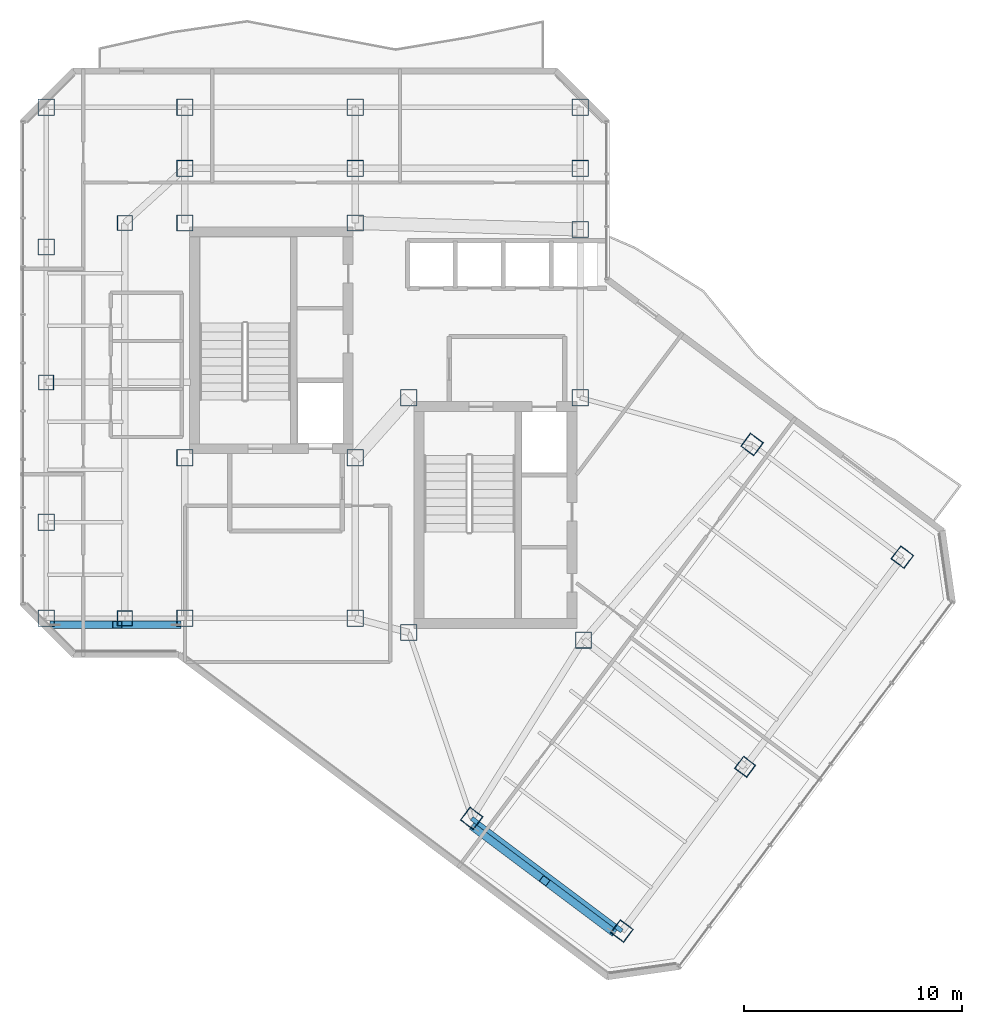
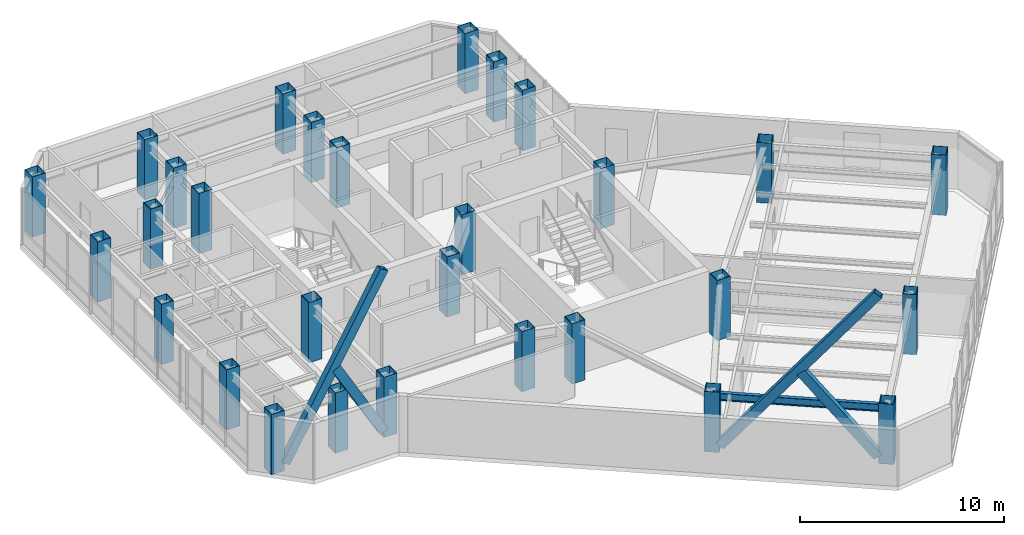
# One storey, part 1 of 24: 29 columns, 4 members, 1 beam.
"""IFC4 building model written with IfcOpenShell, lengths in metres."""

from ifc_helpers import new_model, si_unit, direction, frame, origin, origin_2d, place, context, subcontext, project, spatial, hollow_rectangle, i_section, extrude, material, material_profile, profile_set, type_object, element, save


model = new_model("IFC4")

# Units and contexts
model_context = context("Model", 3, precision=1e-05, world=origin(), true_north=direction((0.0, 1.0)))
body_context = subcontext(model_context, "Body", "Model", "MODEL_VIEW")
ifc_project = project(units=[si_unit("LENGTHUNIT", "METRE"), si_unit("AREAUNIT", "SQUARE_METRE"), si_unit("VOLUMEUNIT", "CUBIC_METRE"), si_unit("PLANEANGLEUNIT", "RADIAN"), si_unit("MASSUNIT", "GRAM", prefix="KILO")], contexts=[model_context])

# Site, building, storey
site_placement = place(None, origin())
site = spatial("IfcSite", under=ifc_project, at=site_placement, CompositionType="ELEMENT")
building_placement = place(site_placement, origin())
building = spatial("IfcBuilding", under=site, at=building_placement, Name="Hatsunagi Terrace Concourse", CompositionType="ELEMENT")
storey_placement = place(building_placement, frame((0.0, 0.0, 202.35009765625)))
storey = spatial("IfcBuildingStorey", under=building, at=storey_placement, Name="L53", CompositionType="ELEMENT", Elevation=202.35009765625)

# Columns
ifc_material_1 = material(Name="Steel BCP325T", Category="steel")
ifc_material_profile_1 = material_profile(ifc_material_1, hollow_rectangle(XDim=0.699951171875, YDim=0.699951171875, WallThickness=0.028076171875, at=origin_2d()), Name="BCP-700x700x28")
ifc_profile_set_1 = profile_set([ifc_material_profile_1], Name="Steel BCP325T")
column_type_1 = type_object("IfcColumnType", Name="TowerBoxColumn_700x700x28", PredefinedType="COLUMN", material=ifc_profile_set_1)
for number, where, z_axis, x_axis, name in (
    (1, (22.800048828125, 25.199951171875, 0.0), (0.0, 0.0, 1.0), (1.0, 0.0, 0.0), "Column C-08 L53-CW1"),
    (2, (22.800048828125, 43.300048828125, 0.0), (0.0, 0.0, 1.0), (1.0, 0.0, 0.0), "Column C-08 L53-CW2"),
    (3, (19.199951171875, 36.0, 0.0), (0.0, 0.0, 1.0), (1.0, 0.0, 0.0), "Column C-08 L53-WT2"),
    (4, (51.199951171875, 18.39990234375, 0.0), (0.0, 0.0, 1.0), (0.799999996291, -0.600000004945, 0.0), "Column C-08 L53-SEM2"),
):
    element("IfcColumn", number, at=place(storey_placement, frame(where, z_axis=z_axis, x_axis=x_axis)), inside=storey, type_object=column_type_1, Name=name, PredefinedType="COLUMN", context=body_context, shape_type="SweptSolid", body=[
        extrude(hollow_rectangle(XDim=0.699951171875, YDim=0.699951171875, WallThickness=0.028076171875, at=origin_2d()), origin(), (0.0, 0.0, 1.0), 3.599853515625),
    ])
ifc_material_2 = material(Name="Steel BCP325T", Category="steel")
ifc_material_profile_2 = material_profile(ifc_material_2, hollow_rectangle(XDim=0.75, YDim=0.75, WallThickness=0.028076171875, at=origin_2d()), Name="BCP-750x750x28")
ifc_profile_set_2 = profile_set([ifc_material_profile_2], Name="Steel BCP325T")
column_type_2 = type_object("IfcColumnType", Name="TowerBoxColumn_750x750x28", PredefinedType="COLUMN", material=ifc_profile_set_2)
for number, where, z_axis, x_axis, name in (
    (5, (25.550048828125, 32.550048828125, 0.0), (0.0, 0.0, 1.0), (1.0, 0.0, 0.0), "Column C-07 L53-CASW"),
    (6, (33.35009765625, 32.550048828125, 0.0), (0.0, 0.0, 1.0), (1.0, 0.0, 0.0), "Column C-07 L53-CASE"),
    (7, (25.550048828125, 43.300048828125, 0.0), (0.0, 0.0, 1.0), (1.0, 0.0, 0.0), "Column C-07 L53-CANW"),
    (8, (33.35009765625, 43.300048828125, 0.0), (0.0, 0.0, 1.0), (1.0, 0.0, 0.0), "Column C-07 L53-CANE"),
    (9, (35.800048828125, 24.550048828125, 0.0), (0.0, 0.0, 1.0), (1.0, 0.0, 0.0), "Column C-07 L53-CBSW"),
    (10, (43.800048828125, 24.199951171875, 0.0), (0.0, 0.0, 1.0), (1.0, 0.0, 0.0), "Column C-07 L53-CBSE"),
    (11, (35.800048828125, 35.300048828125, 0.0), (0.0, 0.0, 1.0), (1.0, 0.0, 0.0), "Column C-07 L53-CBNW"),
    (12, (43.64990234375, 35.300048828125, 0.0), (0.0, 0.0, 1.0), (1.0, 0.0, 0.0), "Column C-07 L53-CBNE"),
    (13, (25.550048828125, 25.199951171875, 0.0), (0.0, 0.0, 1.0), (1.0, 0.0, 0.0), "Column C-07 L53-K1"),
    (14, (33.35009765625, 25.199951171875, 0.0), (0.0, 0.0, 1.0), (1.0, 0.0, 0.0), "Column C-07 L53-K2"),
    (15, (43.64990234375, 43.0, 0.0), (0.0, 0.0, 1.0), (1.0, 0.0, 0.0), "Column C-07 L53-K3"),
    (16, (25.550048828125, 45.800048828125, 0.0), (0.0, 0.0, 1.0), (1.0, 0.0, 0.0), "Column C-07 L53-CN1"),
    (17, (33.35009765625, 45.800048828125, 0.0), (0.0, 0.0, 1.0), (1.0, 0.0, 0.0), "Column C-07 L53-CN2"),
    (18, (43.64990234375, 45.800048828125, 0.0), (0.0, 0.0, 1.0), (1.0, 0.0, 0.0), "Column C-07 L53-CN3"),
    (19, (19.199951171875, 48.60009765625, 0.0), (0.0, 0.0, 1.0), (1.0, 0.0, 0.0), "Column C-07 L53-WN3"),
    (20, (25.550048828125, 48.60009765625, 0.0), (0.0, 0.0, 1.0), (1.0, 0.0, 0.0), "Column C-07 L53-WN4"),
    (21, (33.35009765625, 48.60009765625, 0.0), (0.0, 0.0, 1.0), (1.0, 0.0, 0.0), "Column C-07 L53-WN5"),
    (22, (43.64990234375, 48.60009765625, 0.0), (0.0, 0.0, 1.0), (1.0, 0.0, 0.0), "Column C-07 L53-WN6"),
    (23, (19.199951171875, 25.199951171875, 0.0), (0.0, 0.0, 1.0), (1.0, 0.0, 0.0), "Column C-07 L53-WS3"),
    (24, (19.199951171875, 29.60009765625, 0.0), (0.0, 0.0, 1.0), (1.0, 0.0, 0.0), "Column C-07 L53-WR1"),
    (25, (19.199951171875, 42.199951171875, 0.0), (0.0, 0.0, 1.0), (1.0, 0.0, 0.0), "Column C-07 L53-WR2"),
    (26, (38.679931640625, 16.0400390625, 0.0), (0.0, 0.0, 1.0), (0.799999996291, -0.600000004945, 0.0), "Column C-07 L53-SES1"),
    (27, (51.52001953125, 33.159912109375, 0.0), (0.0, 0.0, 1.0), (0.799999996291, -0.600000004945, 0.0), "Column C-07 L53-SEN1"),
    (28, (45.56005859375, 10.8798828125, 0.0), (0.0, 0.0, 1.0), (0.799999996291, -0.600000004945, 0.0), "Column C-07 L53-SES2"),
    (29, (58.39990234375, 28.0, 0.0), (0.0, 0.0, 1.0), (0.799999996291, -0.600000004945, 0.0), "Column C-07 L53-SEN2"),
):
    element("IfcColumn", number, at=place(storey_placement, frame(where, z_axis=z_axis, x_axis=x_axis)), inside=storey, type_object=column_type_2, Name=name, PredefinedType="COLUMN", context=body_context, shape_type="SweptSolid", body=[
        extrude(hollow_rectangle(XDim=0.75, YDim=0.75, WallThickness=0.028076171875, at=origin_2d()), origin(), (0.0, 0.0, 1.0), 3.599853515625),
    ])

# Beam
ifc_material_3 = material(Name="Steel SN490B", Category="steel")
ifc_material_profile_3 = material_profile(ifc_material_3, i_section(OverallWidth=0.199951171875, OverallDepth=0.449951171875, WebThickness=0.009033203125, FlangeThickness=0.013916015625, FilletRadius=0.01611328125, at=origin_2d()), Name="H-450x200x9x14")
ifc_profile_set_3 = profile_set([ifc_material_profile_3], Name="Steel SN490B")
beam_type = type_object("IfcBeamType", Name="PerimeterSpandrel_H_450x200", PredefinedType="SPANDREL", material=ifc_profile_set_3)
beam_placement = place(storey_placement, frame((38.679931640625, 16.0400390625, 3.125), z_axis=(0.799996593451, -0.600004542038, 0.0), x_axis=(0.600004542038, 0.799996593451, 0.0)))
element("IfcBeam", 30, at=beam_placement, inside=storey, type_object=beam_type, Name="Beam SP-02 BM-L53-SE-SW2", PredefinedType="SPANDREL", context=body_context, shape_type="SweptSolid", body=[
    extrude(i_section(OverallWidth=0.199951171875, OverallDepth=0.449951171875, WebThickness=0.009033203125, FlangeThickness=0.013916015625, FilletRadius=0.01611328125, at=origin_2d()), origin(), (0.0, 0.0, 1.0), 8.60009765625),
])

# Members
ifc_material_4 = material(Name="Steel SN490B", Category="steel")
ifc_material_profile_4 = material_profile(ifc_material_4, hollow_rectangle(XDim=0.35009765625, YDim=0.5, WallThickness=0.02197265625, at=origin_2d()), Name="RHS-500x350x22")
ifc_profile_set_4 = profile_set([ifc_material_profile_4], Name="Steel SN490B")
member_type = type_object("IfcMemberType", Name="PerimeterXBrace_Upper_RHS_500x350x22", PredefinedType="BRACE", material=ifc_profile_set_4)
member_1_placement = place(storey_placement, frame((19.60009765625, 24.89990234375, 0.43994140625), z_axis=(0.497769917846, 0.0, 0.867309119569), x_axis=(0.0, 1.0, 0.0)))
element("IfcMember", 31, at=member_1_placement, inside=storey, type_object=member_type, Name="Perimeter X-Brace XB-03 XB-L53-W1A", PredefinedType="BRACE", context=body_context, shape_type="SweptSolid", body=[
    extrude(hollow_rectangle(XDim=0.35009765625, YDim=0.5, WallThickness=0.02197265625, at=origin_2d()), origin(), (0.0, 0.0, 1.0), 11.1494140625),
])
member_2_placement = place(storey_placement, frame((22.445068359375, 24.89990234375, 5.15380859375), z_axis=(0.497691064471, 0.0, -0.867354370684), x_axis=(0.0, 1.0, 0.0)))
element("IfcMember", 32, at=member_2_placement, inside=storey, type_object=member_type, Name="Perimeter X-Brace Split Lower XB-03 XB-L53-W1B2", PredefinedType="BRACE", context=body_context, shape_type="SweptSolid", body=[
    extrude(hollow_rectangle(XDim=0.35009765625, YDim=0.5, WallThickness=0.02197265625, at=origin_2d()), origin(), (0.0, 0.0, 1.0), 5.434814453125),
])
member_3_placement = place(storey_placement, frame((38.83203125, 15.575927734375, 0.43994140625), z_axis=(0.502267801374, -0.376695938203, 0.778349038571), x_axis=(0.599994991944, 0.800003756017, 0.0)))
element("IfcMember", 33, at=member_3_placement, inside=storey, type_object=member_type, Name="Perimeter X-Brace XB-03 XB-L53-SEA", PredefinedType="BRACE", context=body_context, shape_type="SweptSolid", body=[
    extrude(hollow_rectangle(XDim=0.35009765625, YDim=0.5, WallThickness=0.02197265625, at=origin_2d()), origin(), (0.0, 0.0, 1.0), 12.423583984375),
])
member_4_placement = place(storey_placement, frame((42.02197265625, 13.18310546875, 5.166015625), z_axis=(0.502311931181, -0.376663585312, -0.778336217385), x_axis=(0.599928272603, 0.800053790524, 0.0)))
element("IfcMember", 34, at=member_4_placement, inside=storey, type_object=member_type, Name="Perimeter X-Brace Split Lower XB-03 XB-L53-SEB2", PredefinedType="BRACE", context=body_context, shape_type="SweptSolid", body=[
    extrude(hollow_rectangle(XDim=0.35009765625, YDim=0.5, WallThickness=0.02197265625, at=origin_2d()), origin(), (0.0, 0.0, 1.0), 6.072021484375),
])

save(model, "model.ifc")
